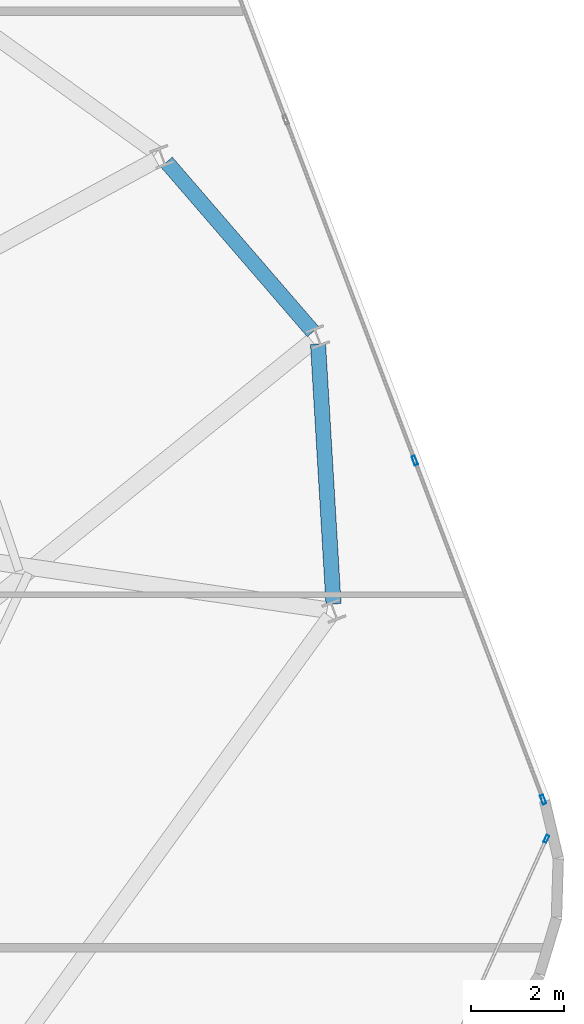
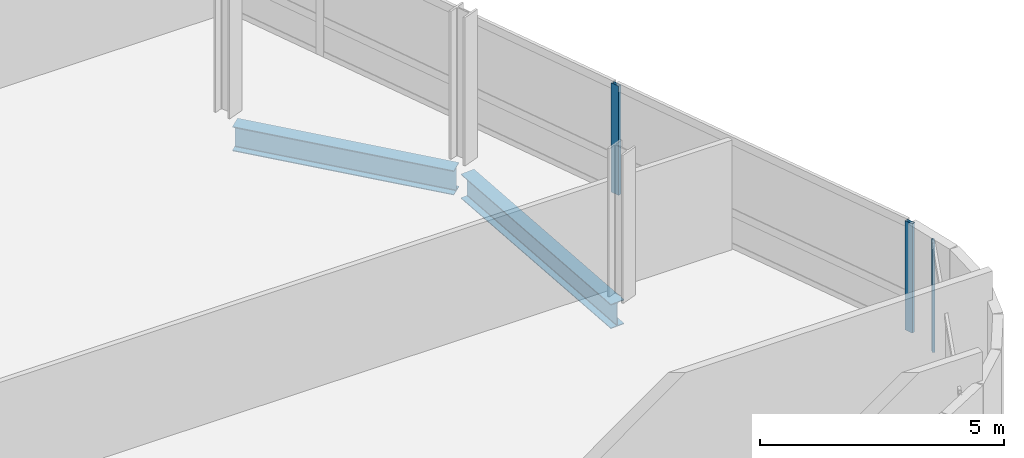
# One storey, part 15 of 24: 3 members, 2 beams, 2 elements without a shape of their own.
"""IFC4 building model written with IfcOpenShell, lengths in metres."""

from ifc_helpers import new_model, si_unit, direction, frame, origin, origin_2d, place, context, subcontext, project, spatial, hollow_rectangle, i_section, extrude, material, layer, layer_set, material_profile, profile_set, type_object, element, aggregate, save


model = new_model("IFC4")

# Units and contexts
model_context = context("Model", 3, precision=1e-05, world=origin(), true_north=direction((0.0, 1.0)))
body_context = subcontext(model_context, "Body", "Model", "MODEL_VIEW")
ifc_project = project(units=[si_unit("LENGTHUNIT", "METRE"), si_unit("AREAUNIT", "SQUARE_METRE"), si_unit("VOLUMEUNIT", "CUBIC_METRE"), si_unit("PLANEANGLEUNIT", "RADIAN"), si_unit("MASSUNIT", "GRAM", prefix="KILO")], contexts=[model_context])

# Site, building, storey
site_placement = place(None, origin())
site = spatial("IfcSite", under=ifc_project, at=site_placement, CompositionType="ELEMENT")
building_placement = place(site_placement, origin())
building = spatial("IfcBuilding", under=site, at=building_placement, Name="Varnelok Gate Tower", CompositionType="ELEMENT")
storey_placement = place(building_placement, frame((0.0, 0.0, 242.300048828125)))
storey = spatial("IfcBuildingStorey", under=building, at=storey_placement, Name="L62", CompositionType="ELEMENT", Elevation=242.300048828125)

# Beams
ifc_material_1 = material(Name="Structural Steel ASTM A992 Grade 50", Category="steel")
ifc_material_profile_1 = material_profile(ifc_material_1, i_section(OverallWidth=0.323974609375, OverallDepth=0.611083984375, WebThickness=0.0126953125, FlangeThickness=0.01904296875, FilletRadius=0.01806640625, at=origin_2d()), Name="W24X104")
ifc_profile_set_1 = profile_set([ifc_material_profile_1], Name="Structural Steel ASTM A992 Grade 50")
beam_type = type_object("IfcBeamType", Name="BM-SPN-W24X104", PredefinedType="SPANDREL", material=ifc_profile_set_1)
beam_1_placement = place(storey_placement, frame((71.046142578125, 26.60302734375, -0.5556640625), z_axis=(-0.059494461707, 0.998228635647, 0.0), x_axis=(-0.998228635647, -0.059494461707, 0.0)))
element("IfcBeam", 1, at=beam_1_placement, inside=storey, type_object=beam_type, Name="L62 Perimeter Spandrel Beam 6", PredefinedType="SPANDREL", context=body_context, shape_type="SweptSolid", body=[
    extrude(i_section(OverallWidth=0.323974609375, OverallDepth=0.611083984375, WebThickness=0.0126953125, FlangeThickness=0.01904296875, FilletRadius=0.01806640625, at=origin_2d()), origin(), (0.0, 0.0, 1.0), 5.57666015625),
])
beam_2_placement = place(storey_placement, frame((70.607421875, 32.43310546875, -0.5556640625), z_axis=(-0.653480804386, 0.756943087886, 0.0), x_axis=(-0.756943087886, -0.653480804386, 0.0)))
element("IfcBeam", 2, at=beam_2_placement, inside=storey, type_object=beam_type, Name="L62 Perimeter Spandrel Beam 7", PredefinedType="SPANDREL", context=body_context, shape_type="SweptSolid", body=[
    extrude(i_section(OverallWidth=0.323974609375, OverallDepth=0.611083984375, WebThickness=0.0126953125, FlangeThickness=0.01904296875, FilletRadius=0.01806640625, at=origin_2d()), origin(), (0.0, 0.0, 1.0), 4.799560546875),
])

# Curtain wall, member
ifc_material_2 = material(Name="Anodized Aluminum Alloy 6063-T6", Category="aluminium")
ifc_layer_1 = layer(ifc_material_2, 0.179931640625)
ifc_layer_set_1 = layer_set([ifc_layer_1], Name="Anodized Aluminum Alloy 6063-T6")
curtain_wall_type_1 = type_object("IfcCurtainWallType", Name="CW5-WINDCORNER-GLAZ", PredefinedType="USERDEFINED", material=ifc_layer_set_1)
curtain_wall_1_placement = place(storey_placement, origin())
curtain_wall_1 = element("IfcCurtainWall", 3, at=curtain_wall_1_placement, inside=storey, type_object=curtain_wall_type_1, Name="L62 Wind-Shaped Corner Curtain Wall SE", ObjectType="STRUCTURAL GLAZING", PredefinedType="USERDEFINED")
ifc_material_profile_2 = material_profile(ifc_material_2, hollow_rectangle(XDim=0.06494140625, YDim=0.159912109375, WallThickness=0.00390625, at=origin_2d()), Name="ALU160X65X4")
ifc_profile_set_2 = profile_set([ifc_material_profile_2], Name="Anodized Aluminum Alloy 6063-T6")
member_type_1 = type_object("IfcMemberType", Name="CW-MULL-160", PredefinedType="MULLION", material=ifc_profile_set_2)
member_1_placement = place(storey_placement, frame((75.60400390625, 21.574951171875, 0.0), z_axis=(0.0, 0.0, 1.0), x_axis=(-0.911662816164, 0.410939058285, 0.0)))
member_1 = element("IfcMember", 4, at=member_1_placement, type_object=member_type_1, Name="CW5 mullion 2", PredefinedType="MULLION", context=body_context, shape_type="SweptSolid", body=[
    extrude(hollow_rectangle(XDim=0.06494140625, YDim=0.159912109375, WallThickness=0.00390625, at=origin_2d()), origin(), (0.0, 0.0, 1.0), 2.72998046875),
])
aggregate(curtain_wall_1, [member_1])

# Curtain wall, members
ifc_layer_2 = layer(ifc_material_2, 0.179931640625)
ifc_layer_set_2 = layer_set([ifc_layer_2], Name="Anodized Aluminum Alloy 6063-T6")
curtain_wall_type_2 = type_object("IfcCurtainWallType", Name="CW4-RESIDENCE-VISION", PredefinedType="USERDEFINED", material=ifc_layer_set_2)
curtain_wall_2_placement = place(storey_placement, origin())
curtain_wall_2 = element("IfcCurtainWall", 5, at=curtain_wall_2_placement, inside=storey, type_object=curtain_wall_type_2, Name="L62 East End Vision Curtain Wall", ObjectType="UNITISED CURTAIN WALL", PredefinedType="USERDEFINED")
ifc_material_profile_3 = material_profile(ifc_material_2, hollow_rectangle(XDim=0.074951171875, YDim=0.199951171875, WallThickness=0.00390625, at=origin_2d()), Name="ALU200X75X4")
ifc_profile_set_3 = profile_set([ifc_material_profile_3], Name="Anodized Aluminum Alloy 6063-T6")
member_type_2 = type_object("IfcMemberType", Name="CW-MULL-200", PredefinedType="MULLION", material=ifc_profile_set_3)
member_2_placement = place(storey_placement, frame((72.78662109375, 29.675048828125, 0.0), z_axis=(0.0, 0.0, 1.0), x_axis=(0.935221557832, 0.354063042079, 0.0)))
member_2 = element("IfcMember", 6, at=member_2_placement, type_object=member_type_2, Name="CW4 mullion 4", PredefinedType="MULLION", context=body_context, shape_type="SweptSolid", body=[
    extrude(hollow_rectangle(XDim=0.074951171875, YDim=0.199951171875, WallThickness=0.00390625, at=origin_2d()), origin(), (0.0, 0.0, 1.0), 2.72998046875),
])
member_3_placement = place(storey_placement, frame((75.534912109375, 22.41552734375, 0.0), z_axis=(0.0, 0.0, 1.0), x_axis=(0.935221557832, 0.354063042079, 0.0)))
member_3 = element("IfcMember", 7, at=member_3_placement, type_object=member_type_2, Name="CW4 mullion 5", PredefinedType="MULLION", context=body_context, shape_type="SweptSolid", body=[
    extrude(hollow_rectangle(XDim=0.074951171875, YDim=0.199951171875, WallThickness=0.00390625, at=origin_2d()), origin(), (0.0, 0.0, 1.0), 2.72998046875),
])
aggregate(curtain_wall_2, [member_2, member_3])

save(model, "model.ifc")
